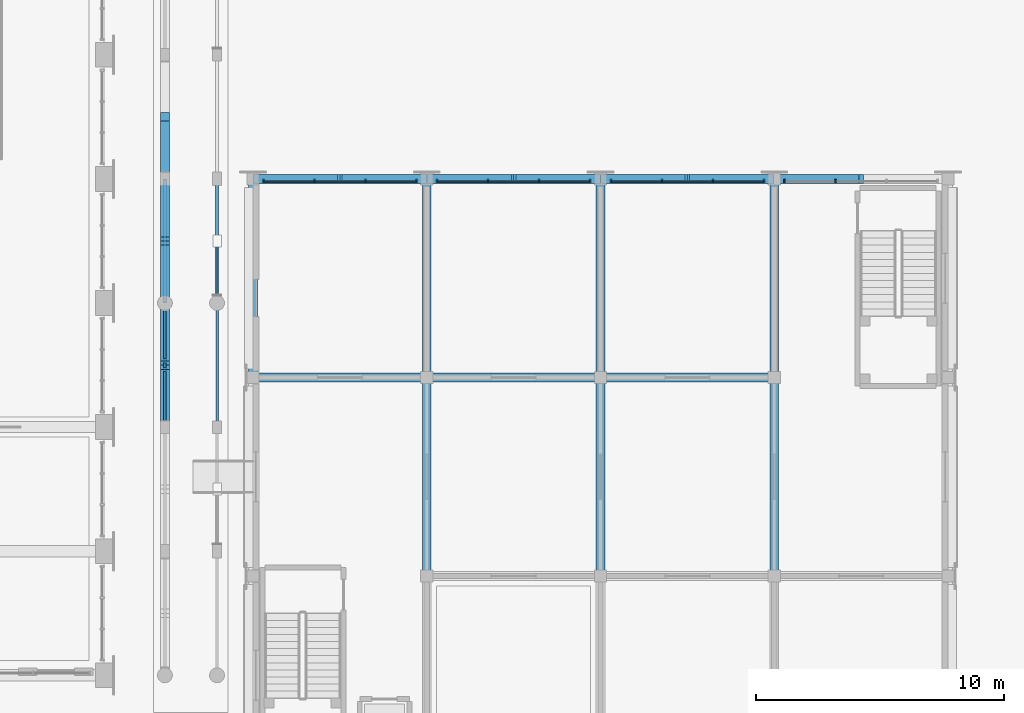
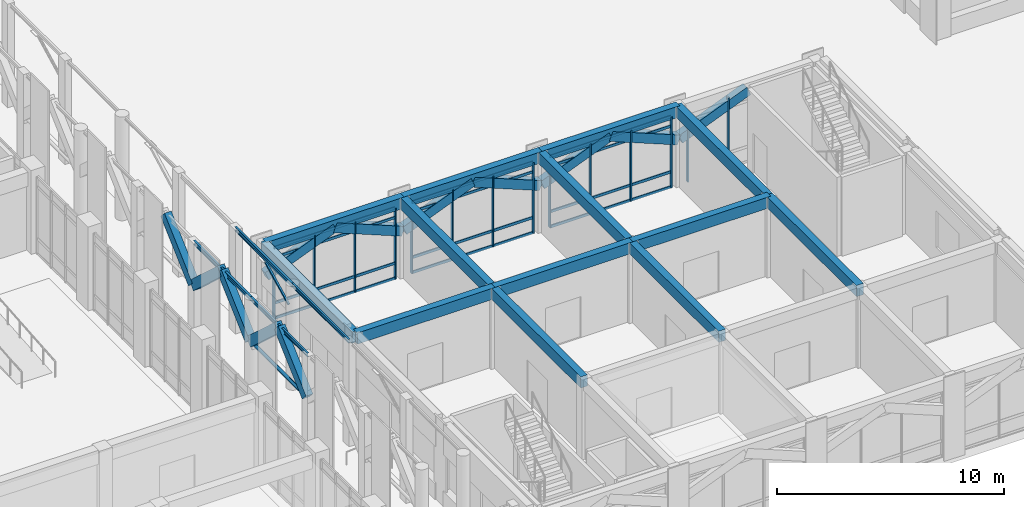
# One storey, part 31 of 135: 29 beams, 28 members, 4 elements without a shape of their own.
"""IFC4 building model written with IfcOpenShell, lengths in metres."""

from ifc_helpers import new_model, si_unit, direction, frame, origin, origin_2d, place, context, subcontext, project, spatial, rectangle, hollow_rectangle, hollow_circle, i_section, extrude, material, material_profile, profile_set, type_object, element, aggregate, save


model = new_model("IFC4")

# Units and contexts
model_context = context("Model", 3, precision=1e-05, world=origin(), true_north=direction((0.0, 1.0)))
body_context = subcontext(model_context, "Body", "Model", "MODEL_VIEW")
ifc_project = project(units=[si_unit("LENGTHUNIT", "METRE"), si_unit("AREAUNIT", "SQUARE_METRE"), si_unit("VOLUMEUNIT", "CUBIC_METRE"), si_unit("PLANEANGLEUNIT", "RADIAN"), si_unit("MASSUNIT", "GRAM", prefix="KILO")], contexts=[model_context])

# Site, building, storey
site_placement = place(None, origin())
site = spatial("IfcSite", under=ifc_project, at=site_placement, CompositionType="ELEMENT")
building_placement = place(site_placement, origin())
building = spatial("IfcBuilding", under=site, at=building_placement, Name="Kiranvali Square Residences", CompositionType="ELEMENT")
storey_placement = place(building_placement, origin())
storey = spatial("IfcBuildingStorey", under=building, at=storey_placement, Name="L00", CompositionType="ELEMENT", Elevation=0.0)

# Beams
ifc_material_1 = material(Name="Concrete M40 (40 MPa)", Category="concrete")
ifc_material_profile_1 = material_profile(ifc_material_1, rectangle(XDim=0.35009765625, YDim=0.5, at=origin_2d()), Name="RC 350x500")
ifc_profile_set_1 = profile_set([ifc_material_profile_1], Name="Concrete M40 (40 MPa)")
beam_type_1 = type_object("IfcBeamType", Name="AR-M40-350x500", PredefinedType="USERDEFINED", material=ifc_profile_set_1)
for number, where, z_axis, x_axis, name in (
    (1, (102.0400390625, 64.0, 2.449951171875), (0.926976058065, 0.0, 0.375120497672), (0.0, 1.0, 0.0), "Classical pointed Ottoman arch rib ARCH-RT-S3-0.1"),
    (2, (105.5, 64.0, 3.85009765625), (0.926976058065, 0.0, -0.375120497672), (0.0, 1.0, 0.0), "Classical pointed Ottoman arch rib ARCH-RT-S3-0.2"),
    (3, (109.0400390625, 64.0, 2.449951171875), (0.926976058065, 0.0, 0.375120497672), (0.0, 1.0, 0.0), "Classical pointed Ottoman arch rib ARCH-RT-S3-1.1"),
    (4, (112.5, 64.0, 3.85009765625), (0.926976058065, 0.0, -0.375120497672), (0.0, 1.0, 0.0), "Classical pointed Ottoman arch rib ARCH-RT-S3-1.2"),
    (5, (116.0400390625, 64.0, 2.449951171875), (0.926976058065, 0.0, 0.375120497672), (0.0, 1.0, 0.0), "Classical pointed Ottoman arch rib ARCH-RT-S3-2.1"),
    (6, (119.5, 64.0, 3.85009765625), (0.926976058065, 0.0, -0.375120497672), (0.0, 1.0, 0.0), "Classical pointed Ottoman arch rib ARCH-RT-S3-2.2"),
    (7, (123.0400390625, 64.0, 2.449951171875), (0.926976058065, 0.0, 0.375120497672), (0.0, 1.0, 0.0), "Classical pointed Ottoman arch rib ARCH-RT-S3-3.1"),
):
    element("IfcBeam", number, at=place(storey_placement, frame(where, z_axis=z_axis, x_axis=x_axis)), inside=storey, type_object=beam_type_1, Name=name, ObjectType="ARCH RIB", PredefinedType="USERDEFINED", context=body_context, shape_type="SweptSolid", body=[
        extrude(rectangle(XDim=0.35009765625, YDim=0.5, at=origin_2d()), origin(), (0.0, 0.0, 1.0), 3.732421875),
    ])
for number, where, z_axis, x_axis, name in (
    (8, (98.449951171875, 54.0400390625, 3.199951171875), (0.0, 0.736401324674, 0.676544964521), (-1.0, 0.0, 0.0), "Classical pointed Ottoman arch rib ARCH-ARC-GDN-E-03.1"),
    (9, (98.449951171875, 56.5, 5.4599609375), (0.0, 0.736401324674, -0.676544964521), (-1.0, 0.0, 0.0), "Classical pointed Ottoman arch rib ARCH-ARC-GDN-E-03.2"),
    (10, (98.449951171875, 59.0400390625, 3.199951171875), (0.0, 0.736401324674, 0.676544964521), (-1.0, 0.0, 0.0), "Classical pointed Ottoman arch rib ARCH-ARC-GDN-E-04.1"),
    (11, (98.449951171875, 61.5, 5.4599609375), (0.0, 0.736401324674, -0.676544964521), (-1.0, 0.0, 0.0), "Classical pointed Ottoman arch rib ARCH-ARC-GDN-E-04.2"),
    (12, (98.449951171875, 64.0400390625, 3.199951171875), (0.0, 0.736401324674, 0.676544964521), (-1.0, 0.0, 0.0), "Classical pointed Ottoman arch rib ARCH-ARC-GDN-E-05.1"),
):
    element("IfcBeam", number, at=place(storey_placement, frame(where, z_axis=z_axis, x_axis=x_axis)), inside=storey, type_object=beam_type_1, Name=name, ObjectType="ARCH RIB", PredefinedType="USERDEFINED", context=body_context, shape_type="SweptSolid", body=[
        extrude(rectangle(XDim=0.35009765625, YDim=0.5, at=origin_2d()), origin(), (0.0, 0.0, 1.0), 3.340576171875),
    ])
ifc_material_profile_2 = material_profile(ifc_material_1, rectangle(XDim=0.35009765625, YDim=0.60009765625, at=origin_2d()), Name="RC 350x600")
ifc_profile_set_2 = profile_set([ifc_material_profile_2], Name="Concrete M40 (40 MPa)")
beam_type_2 = type_object("IfcBeamType", Name="BM-M40-350x600", PredefinedType="BEAM", material=ifc_profile_set_2)
for number, where, z_axis, x_axis, name in (
    (13, (102.0, 56.0, 3.97998046875), (1.0, 0.0, 0.0), (0.0, 1.0, 0.0), "L00 beam BM-RT-L00-X0-2"),
    (14, (109.0, 56.0, 3.97998046875), (1.0, 0.0, 0.0), (0.0, 1.0, 0.0), "L00 beam BM-RT-L00-X1-2"),
    (15, (116.0, 56.0, 3.97998046875), (1.0, 0.0, 0.0), (0.0, 1.0, 0.0), "L00 beam BM-RT-L00-X2-2"),
    (16, (102.0, 64.0, 3.97998046875), (1.0, 0.0, 0.0), (0.0, 1.0, 0.0), "L00 beam BM-RT-L00-X0-3"),
    (17, (109.0, 64.0, 3.97998046875), (1.0, 0.0, 0.0), (0.0, 1.0, 0.0), "L00 beam BM-RT-L00-X1-3"),
    (18, (116.0, 64.0, 3.97998046875), (1.0, 0.0, 0.0), (0.0, 1.0, 0.0), "L00 beam BM-RT-L00-X2-3"),
):
    element("IfcBeam", number, at=place(storey_placement, frame(where, z_axis=z_axis, x_axis=x_axis)), inside=storey, type_object=beam_type_2, Name=name, PredefinedType="BEAM", context=body_context, shape_type="SweptSolid", body=[
        extrude(rectangle(XDim=0.35009765625, YDim=0.60009765625, at=origin_2d()), origin(), (0.0, 0.0, 1.0), 7.0),
    ])
for number, where, z_axis, x_axis, name in (
    (19, (102.0, 56.0, 3.97998046875), (0.0, 1.0, 0.0), (-1.0, 0.0, 0.0), "L00 beam BM-RT-L00-Y0-2"),
    (20, (109.0, 48.0, 3.97998046875), (0.0, 1.0, 0.0), (-1.0, 0.0, 0.0), "L00 beam BM-RT-L00-Y1-1"),
    (21, (109.0, 56.0, 3.97998046875), (0.0, 1.0, 0.0), (-1.0, 0.0, 0.0), "L00 beam BM-RT-L00-Y1-2"),
    (22, (116.0, 48.0, 3.97998046875), (0.0, 1.0, 0.0), (-1.0, 0.0, 0.0), "L00 beam BM-RT-L00-Y2-1"),
    (23, (116.0, 56.0, 3.97998046875), (0.0, 1.0, 0.0), (-1.0, 0.0, 0.0), "L00 beam BM-RT-L00-Y2-2"),
    (24, (123.0, 48.0, 3.97998046875), (0.0, 1.0, 0.0), (-1.0, 0.0, 0.0), "L00 beam BM-RT-L00-Y3-1"),
    (25, (123.0, 56.0, 3.97998046875), (0.0, 1.0, 0.0), (-1.0, 0.0, 0.0), "L00 beam BM-RT-L00-Y3-2"),
):
    element("IfcBeam", number, at=place(storey_placement, frame(where, z_axis=z_axis, x_axis=x_axis)), inside=storey, type_object=beam_type_2, Name=name, PredefinedType="BEAM", context=body_context, shape_type="SweptSolid", body=[
        extrude(rectangle(XDim=0.35009765625, YDim=0.60009765625, at=origin_2d()), origin(), (0.0, 0.0, 1.0), 8.0),
    ])

# Curtain wall, members
ifc_material_2 = material(Name="Anodised bronze aluminium framing", Category="aluminium")
curtain_wall_type = type_object("IfcCurtainWallType", Name="CW-PAV-GLZ", PredefinedType="USERDEFINED", material=ifc_material_2)
curtain_wall_1_placement = place(storey_placement, origin())
curtain_wall_1 = element("IfcCurtainWall", 26, at=curtain_wall_1_placement, inside=storey, type_object=curtain_wall_type, Name="Southeast Square Retail Pavilion north arcade curtain wall 1", ObjectType="CURTAIN WALL", PredefinedType="USERDEFINED")
ifc_material_profile_3 = material_profile(ifc_material_2, rectangle(XDim=0.06494140625, YDim=0.159912109375, at=origin_2d()), Name="ALU 65x160")
ifc_profile_set_3 = profile_set([ifc_material_profile_3], Name="Anodised bronze aluminium framing")
member_type_1 = type_object("IfcMemberType", Name="CW-MUL-160", PredefinedType="MULLION", material=ifc_profile_set_3)
member_1_placement = place(storey_placement, frame((102.419921875, 63.89990234375, 0.02001953125), z_axis=(0.0, 0.0, 1.0), x_axis=(1.0, 0.0, 0.0)))
member_1 = element("IfcMember", 27, at=member_1_placement, type_object=member_type_1, Name="CW-RT-N0-0 vertical mullion 1", PredefinedType="MULLION", context=body_context, shape_type="SweptSolid", body=[
    extrude(rectangle(XDim=0.06494140625, YDim=0.159912109375, at=origin_2d()), origin(), (0.0, 0.0, 1.0), 3.81005859375),
])
member_2_placement = place(storey_placement, frame((104.473388671875, 63.89990234375, 0.02001953125), z_axis=(0.0, 0.0, 1.0), x_axis=(1.0, 0.0, 0.0)))
member_2 = element("IfcMember", 28, at=member_2_placement, type_object=member_type_1, Name="CW-RT-N0-0 vertical mullion 2", PredefinedType="MULLION", context=body_context, shape_type="SweptSolid", body=[
    extrude(rectangle(XDim=0.06494140625, YDim=0.159912109375, at=origin_2d()), origin(), (0.0, 0.0, 1.0), 3.81005859375),
])
member_3_placement = place(storey_placement, frame((106.526611328125, 63.89990234375, 0.02001953125), z_axis=(0.0, 0.0, 1.0), x_axis=(1.0, 0.0, 0.0)))
member_3 = element("IfcMember", 29, at=member_3_placement, type_object=member_type_1, Name="CW-RT-N0-0 vertical mullion 3", PredefinedType="MULLION", context=body_context, shape_type="SweptSolid", body=[
    extrude(rectangle(XDim=0.06494140625, YDim=0.159912109375, at=origin_2d()), origin(), (0.0, 0.0, 1.0), 3.81005859375),
])
member_4_placement = place(storey_placement, frame((108.580078125, 63.89990234375, 0.02001953125), z_axis=(0.0, 0.0, 1.0), x_axis=(1.0, 0.0, 0.0)))
member_4 = element("IfcMember", 30, at=member_4_placement, type_object=member_type_1, Name="CW-RT-N0-0 vertical mullion 4", PredefinedType="MULLION", context=body_context, shape_type="SweptSolid", body=[
    extrude(rectangle(XDim=0.06494140625, YDim=0.159912109375, at=origin_2d()), origin(), (0.0, 0.0, 1.0), 3.81005859375),
])

curtain_wall_2_placement = place(storey_placement, origin())
curtain_wall_2 = element("IfcCurtainWall", 31, at=curtain_wall_2_placement, inside=storey, type_object=curtain_wall_type, Name="Southeast Square Retail Pavilion north arcade curtain wall 2", ObjectType="CURTAIN WALL", PredefinedType="USERDEFINED")
member_5_placement = place(storey_placement, frame((109.419921875, 63.89990234375, 0.02001953125), z_axis=(0.0, 0.0, 1.0), x_axis=(1.0, 0.0, 0.0)))
member_5 = element("IfcMember", 32, at=member_5_placement, type_object=member_type_1, Name="CW-RT-N0-1 vertical mullion 1", PredefinedType="MULLION", context=body_context, shape_type="SweptSolid", body=[
    extrude(rectangle(XDim=0.06494140625, YDim=0.159912109375, at=origin_2d()), origin(), (0.0, 0.0, 1.0), 3.81005859375),
])
member_6_placement = place(storey_placement, frame((111.473388671875, 63.89990234375, 0.02001953125), z_axis=(0.0, 0.0, 1.0), x_axis=(1.0, 0.0, 0.0)))
member_6 = element("IfcMember", 33, at=member_6_placement, type_object=member_type_1, Name="CW-RT-N0-1 vertical mullion 2", PredefinedType="MULLION", context=body_context, shape_type="SweptSolid", body=[
    extrude(rectangle(XDim=0.06494140625, YDim=0.159912109375, at=origin_2d()), origin(), (0.0, 0.0, 1.0), 3.81005859375),
])
member_7_placement = place(storey_placement, frame((113.526611328125, 63.89990234375, 0.02001953125), z_axis=(0.0, 0.0, 1.0), x_axis=(1.0, 0.0, 0.0)))
member_7 = element("IfcMember", 34, at=member_7_placement, type_object=member_type_1, Name="CW-RT-N0-1 vertical mullion 3", PredefinedType="MULLION", context=body_context, shape_type="SweptSolid", body=[
    extrude(rectangle(XDim=0.06494140625, YDim=0.159912109375, at=origin_2d()), origin(), (0.0, 0.0, 1.0), 3.81005859375),
])
member_8_placement = place(storey_placement, frame((115.580078125, 63.89990234375, 0.02001953125), z_axis=(0.0, 0.0, 1.0), x_axis=(1.0, 0.0, 0.0)))
member_8 = element("IfcMember", 35, at=member_8_placement, type_object=member_type_1, Name="CW-RT-N0-1 vertical mullion 4", PredefinedType="MULLION", context=body_context, shape_type="SweptSolid", body=[
    extrude(rectangle(XDim=0.06494140625, YDim=0.159912109375, at=origin_2d()), origin(), (0.0, 0.0, 1.0), 3.81005859375),
])

curtain_wall_3_placement = place(storey_placement, origin())
curtain_wall_3 = element("IfcCurtainWall", 36, at=curtain_wall_3_placement, inside=storey, type_object=curtain_wall_type, Name="Southeast Square Retail Pavilion north arcade curtain wall 3", ObjectType="CURTAIN WALL", PredefinedType="USERDEFINED")
member_9_placement = place(storey_placement, frame((116.419921875, 63.89990234375, 0.02001953125), z_axis=(0.0, 0.0, 1.0), x_axis=(1.0, 0.0, 0.0)))
member_9 = element("IfcMember", 37, at=member_9_placement, type_object=member_type_1, Name="CW-RT-N0-2 vertical mullion 1", PredefinedType="MULLION", context=body_context, shape_type="SweptSolid", body=[
    extrude(rectangle(XDim=0.06494140625, YDim=0.159912109375, at=origin_2d()), origin(), (0.0, 0.0, 1.0), 3.81005859375),
])
member_10_placement = place(storey_placement, frame((118.473388671875, 63.89990234375, 0.02001953125), z_axis=(0.0, 0.0, 1.0), x_axis=(1.0, 0.0, 0.0)))
member_10 = element("IfcMember", 38, at=member_10_placement, type_object=member_type_1, Name="CW-RT-N0-2 vertical mullion 2", PredefinedType="MULLION", context=body_context, shape_type="SweptSolid", body=[
    extrude(rectangle(XDim=0.06494140625, YDim=0.159912109375, at=origin_2d()), origin(), (0.0, 0.0, 1.0), 3.81005859375),
])
member_11_placement = place(storey_placement, frame((120.526611328125, 63.89990234375, 0.02001953125), z_axis=(0.0, 0.0, 1.0), x_axis=(1.0, 0.0, 0.0)))
member_11 = element("IfcMember", 39, at=member_11_placement, type_object=member_type_1, Name="CW-RT-N0-2 vertical mullion 3", PredefinedType="MULLION", context=body_context, shape_type="SweptSolid", body=[
    extrude(rectangle(XDim=0.06494140625, YDim=0.159912109375, at=origin_2d()), origin(), (0.0, 0.0, 1.0), 3.81005859375),
])
member_12_placement = place(storey_placement, frame((122.580078125, 63.89990234375, 0.02001953125), z_axis=(0.0, 0.0, 1.0), x_axis=(1.0, 0.0, 0.0)))
member_12 = element("IfcMember", 40, at=member_12_placement, type_object=member_type_1, Name="CW-RT-N0-2 vertical mullion 4", PredefinedType="MULLION", context=body_context, shape_type="SweptSolid", body=[
    extrude(rectangle(XDim=0.06494140625, YDim=0.159912109375, at=origin_2d()), origin(), (0.0, 0.0, 1.0), 3.81005859375),
])

curtain_wall_4_placement = place(storey_placement, origin())
curtain_wall_4 = element("IfcCurtainWall", 41, at=curtain_wall_4_placement, inside=storey, type_object=curtain_wall_type, Name="Southeast Square Retail Pavilion north arcade curtain wall 4", ObjectType="CURTAIN WALL", PredefinedType="USERDEFINED")
member_13_placement = place(storey_placement, frame((123.419921875, 63.89990234375, 0.02001953125), z_axis=(0.0, 0.0, 1.0), x_axis=(1.0, 0.0, 0.0)))
member_13 = element("IfcMember", 42, at=member_13_placement, type_object=member_type_1, Name="CW-RT-N0-3 vertical mullion 1", PredefinedType="MULLION", context=body_context, shape_type="SweptSolid", body=[
    extrude(rectangle(XDim=0.06494140625, YDim=0.159912109375, at=origin_2d()), origin(), (0.0, 0.0, 1.0), 3.81005859375),
])
member_14_placement = place(storey_placement, frame((125.473388671875, 63.89990234375, 0.02001953125), z_axis=(0.0, 0.0, 1.0), x_axis=(1.0, 0.0, 0.0)))
member_14 = element("IfcMember", 43, at=member_14_placement, type_object=member_type_1, Name="CW-RT-N0-3 vertical mullion 2", PredefinedType="MULLION", context=body_context, shape_type="SweptSolid", body=[
    extrude(rectangle(XDim=0.06494140625, YDim=0.159912109375, at=origin_2d()), origin(), (0.0, 0.0, 1.0), 3.81005859375),
])
aggregate(curtain_wall_4, [member_13, member_14])

# Member
ifc_material_profile_4 = material_profile(ifc_material_2, rectangle(XDim=0.06494140625, YDim=0.139892578125, at=origin_2d()), Name="ALU 65x140")
ifc_profile_set_4 = profile_set([ifc_material_profile_4], Name="Anodised bronze aluminium framing")
member_type_2 = type_object("IfcMemberType", Name="CW-TRN-140", PredefinedType="MULLION", material=ifc_profile_set_4)
member_15_placement = place(storey_placement, frame((102.429931640625, 63.89990234375, 0.0400390625), z_axis=(1.0, 0.0, 0.0), x_axis=(0.0, 1.0, 0.0)))
member_15 = element("IfcMember", 44, at=member_15_placement, type_object=member_type_2, Name="CW-RT-N0-0 horizontal transom 1", PredefinedType="MULLION", context=body_context, shape_type="SweptSolid", body=[
    extrude(rectangle(XDim=0.06494140625, YDim=0.139892578125, at=origin_2d()), origin(), (0.0, 0.0, 1.0), 6.14013671875),
])

member_16_placement = place(storey_placement, frame((102.429931640625, 63.89990234375, 0.85009765625), z_axis=(1.0, 0.0, 0.0), x_axis=(0.0, 1.0, 0.0)))
member_16 = element("IfcMember", 45, at=member_16_placement, type_object=member_type_2, Name="CW-RT-N0-0 horizontal transom 2", PredefinedType="MULLION", context=body_context, shape_type="SweptSolid", body=[
    extrude(rectangle(XDim=0.06494140625, YDim=0.139892578125, at=origin_2d()), origin(), (0.0, 0.0, 1.0), 6.14013671875),
])

member_17_placement = place(storey_placement, frame((102.429931640625, 63.89990234375, 3.300048828125), z_axis=(1.0, 0.0, 0.0), x_axis=(0.0, 1.0, 0.0)))
member_17 = element("IfcMember", 46, at=member_17_placement, type_object=member_type_2, Name="CW-RT-N0-0 horizontal transom 3", PredefinedType="MULLION", context=body_context, shape_type="SweptSolid", body=[
    extrude(rectangle(XDim=0.06494140625, YDim=0.139892578125, at=origin_2d()), origin(), (0.0, 0.0, 1.0), 6.14013671875),
])

member_18_placement = place(storey_placement, frame((102.429931640625, 63.89990234375, 3.81005859375), z_axis=(1.0, 0.0, 0.0), x_axis=(0.0, 1.0, 0.0)))
member_18 = element("IfcMember", 47, at=member_18_placement, type_object=member_type_2, Name="CW-RT-N0-0 horizontal transom 4", PredefinedType="MULLION", context=body_context, shape_type="SweptSolid", body=[
    extrude(rectangle(XDim=0.06494140625, YDim=0.139892578125, at=origin_2d()), origin(), (0.0, 0.0, 1.0), 6.14013671875),
])

aggregate(curtain_wall_1, [member_1, member_2, member_3, member_4, member_15, member_16, member_17, member_18])

member_19_placement = place(storey_placement, frame((109.429931640625, 63.89990234375, 0.0400390625), z_axis=(1.0, 0.0, 0.0), x_axis=(0.0, 1.0, 0.0)))
member_19 = element("IfcMember", 48, at=member_19_placement, type_object=member_type_2, Name="CW-RT-N0-1 horizontal transom 1", PredefinedType="MULLION", context=body_context, shape_type="SweptSolid", body=[
    extrude(rectangle(XDim=0.06494140625, YDim=0.139892578125, at=origin_2d()), origin(), (0.0, 0.0, 1.0), 6.14013671875),
])

member_20_placement = place(storey_placement, frame((109.429931640625, 63.89990234375, 0.85009765625), z_axis=(1.0, 0.0, 0.0), x_axis=(0.0, 1.0, 0.0)))
member_20 = element("IfcMember", 49, at=member_20_placement, type_object=member_type_2, Name="CW-RT-N0-1 horizontal transom 2", PredefinedType="MULLION", context=body_context, shape_type="SweptSolid", body=[
    extrude(rectangle(XDim=0.06494140625, YDim=0.139892578125, at=origin_2d()), origin(), (0.0, 0.0, 1.0), 6.14013671875),
])

member_21_placement = place(storey_placement, frame((109.429931640625, 63.89990234375, 3.300048828125), z_axis=(1.0, 0.0, 0.0), x_axis=(0.0, 1.0, 0.0)))
member_21 = element("IfcMember", 50, at=member_21_placement, type_object=member_type_2, Name="CW-RT-N0-1 horizontal transom 3", PredefinedType="MULLION", context=body_context, shape_type="SweptSolid", body=[
    extrude(rectangle(XDim=0.06494140625, YDim=0.139892578125, at=origin_2d()), origin(), (0.0, 0.0, 1.0), 6.14013671875),
])

member_22_placement = place(storey_placement, frame((109.429931640625, 63.89990234375, 3.81005859375), z_axis=(1.0, 0.0, 0.0), x_axis=(0.0, 1.0, 0.0)))
member_22 = element("IfcMember", 51, at=member_22_placement, type_object=member_type_2, Name="CW-RT-N0-1 horizontal transom 4", PredefinedType="MULLION", context=body_context, shape_type="SweptSolid", body=[
    extrude(rectangle(XDim=0.06494140625, YDim=0.139892578125, at=origin_2d()), origin(), (0.0, 0.0, 1.0), 6.14013671875),
])

aggregate(curtain_wall_2, [member_5, member_6, member_7, member_8, member_19, member_20, member_21, member_22])

member_23_placement = place(storey_placement, frame((116.429931640625, 63.89990234375, 0.0400390625), z_axis=(1.0, 0.0, 0.0), x_axis=(0.0, 1.0, 0.0)))
member_23 = element("IfcMember", 52, at=member_23_placement, type_object=member_type_2, Name="CW-RT-N0-2 horizontal transom 1", PredefinedType="MULLION", context=body_context, shape_type="SweptSolid", body=[
    extrude(rectangle(XDim=0.06494140625, YDim=0.139892578125, at=origin_2d()), origin(), (0.0, 0.0, 1.0), 6.14013671875),
])

member_24_placement = place(storey_placement, frame((116.429931640625, 63.89990234375, 0.85009765625), z_axis=(1.0, 0.0, 0.0), x_axis=(0.0, 1.0, 0.0)))
member_24 = element("IfcMember", 53, at=member_24_placement, type_object=member_type_2, Name="CW-RT-N0-2 horizontal transom 2", PredefinedType="MULLION", context=body_context, shape_type="SweptSolid", body=[
    extrude(rectangle(XDim=0.06494140625, YDim=0.139892578125, at=origin_2d()), origin(), (0.0, 0.0, 1.0), 6.14013671875),
])

member_25_placement = place(storey_placement, frame((116.429931640625, 63.89990234375, 3.300048828125), z_axis=(1.0, 0.0, 0.0), x_axis=(0.0, 1.0, 0.0)))
member_25 = element("IfcMember", 54, at=member_25_placement, type_object=member_type_2, Name="CW-RT-N0-2 horizontal transom 3", PredefinedType="MULLION", context=body_context, shape_type="SweptSolid", body=[
    extrude(rectangle(XDim=0.06494140625, YDim=0.139892578125, at=origin_2d()), origin(), (0.0, 0.0, 1.0), 6.14013671875),
])

member_26_placement = place(storey_placement, frame((116.429931640625, 63.89990234375, 3.81005859375), z_axis=(1.0, 0.0, 0.0), x_axis=(0.0, 1.0, 0.0)))
member_26 = element("IfcMember", 55, at=member_26_placement, type_object=member_type_2, Name="CW-RT-N0-2 horizontal transom 4", PredefinedType="MULLION", context=body_context, shape_type="SweptSolid", body=[
    extrude(rectangle(XDim=0.06494140625, YDim=0.139892578125, at=origin_2d()), origin(), (0.0, 0.0, 1.0), 6.14013671875),
])

aggregate(curtain_wall_3, [member_9, member_10, member_11, member_12, member_23, member_24, member_25, member_26])

# Members
ifc_material_3 = material(Name="Structural steel E350", Category="steel")
ifc_material_profile_5 = material_profile(ifc_material_3, hollow_circle(Radius=0.08251953125, WallThickness=0.00537109375, at=origin_2d()), Name="CHS 165.1x5.4")
ifc_profile_set_5 = profile_set([ifc_material_profile_5], Name="Structural steel E350")
member_type_3 = type_object("IfcMemberType", Name="MEM-CHS165", PredefinedType="USERDEFINED", material=ifc_profile_set_5)
member_27_placement = place(storey_placement, frame((98.449951171875, 54.27392578125, 3.14990234375), z_axis=(0.0, 1.0, 0.0), x_axis=(-1.0, 0.0, 0.0)))
element("IfcMember", 56, at=member_27_placement, inside=storey, type_object=member_type_3, Name="Ottoman arch springing tie rod ARC-GDN-E-3", ObjectType="TIE ROD", PredefinedType="USERDEFINED", context=body_context, shape_type="SweptSolid", body=[
    extrude(hollow_circle(Radius=0.08251953125, WallThickness=0.00537109375, at=origin_2d()), origin(), (0.0, 0.0, 1.0), 4.402099609375),
])
ifc_material_profile_6 = material_profile(ifc_material_3, hollow_rectangle(XDim=0.091552734375, YDim=0.091552734375, WallThickness=0.00439453125, at=origin_2d()), Name="SHS 91.5x91.5x4.5")
ifc_profile_set_6 = profile_set([ifc_material_profile_6], Name="Structural steel E350")
member_type_4 = type_object("IfcMemberType", Name="MEM-SHS91", PredefinedType="BRACE", material=ifc_profile_set_6)
member_28_placement = place(storey_placement, frame((100.550048828125, 59.3359375, 4.199951171875), z_axis=(0.0, 0.89159305, 0.452837535097), x_axis=(-1.0, 0.0, 0.0)))
element("IfcMember", 57, at=member_28_placement, inside=storey, type_object=member_type_4, Name="Colonnade steel knee brace ARC-GDN-E-4", PredefinedType="BRACE", context=body_context, shape_type="SweptSolid", body=[
    extrude(hollow_rectangle(XDim=0.091552734375, YDim=0.091552734375, WallThickness=0.00439453125, at=origin_2d()), origin(), (0.0, 0.0, 1.0), 2.42724609375),
])

# Beams
ifc_material_profile_7 = material_profile(ifc_material_3, i_section(OverallWidth=0.10009765625, OverallDepth=0.199951171875, WebThickness=0.005615234375, FlangeThickness=0.0107421875, at=origin_2d()), Name="ISMB 200")
ifc_profile_set_7 = profile_set([ifc_material_profile_7], Name="Structural steel E350")
beam_type_3 = type_object("IfcBeamType", Name="SBM-ISMB200", PredefinedType="JOIST", material=ifc_profile_set_7)
for number, where, z_axis, x_axis, name in (
    (58, (98.449951171875, 54.0, 5.4599609375), (0.0, 1.0, 0.0), (-1.0, 0.0, 0.0), "Colonnade entablature steel beam ARC-GDN-E-3"),
    (59, (100.550048828125, 54.0, 5.4599609375), (0.0, 1.0, 0.0), (-1.0, 0.0, 0.0), "Colonnade inner entablature steel beam ARC-GDN-E-3B"),
):
    element("IfcBeam", number, at=place(storey_placement, frame(where, z_axis=z_axis, x_axis=x_axis)), inside=storey, type_object=beam_type_3, Name=name, PredefinedType="JOIST", context=body_context, shape_type="SweptSolid", body=[
        extrude(i_section(OverallWidth=0.10009765625, OverallDepth=0.199951171875, WebThickness=0.005615234375, FlangeThickness=0.0107421875, at=origin_2d()), origin(), (0.0, 0.0, 1.0), 5.0),
    ])
ifc_material_profile_8 = material_profile(ifc_material_3, i_section(OverallWidth=0.110107421875, OverallDepth=0.22509765625, WebThickness=0.006591796875, FlangeThickness=0.01171875, at=origin_2d()), Name="ISMB 225")
ifc_profile_set_8 = profile_set([ifc_material_profile_8], Name="Structural steel E350")
beam_type_4 = type_object("IfcBeamType", Name="SBM-ISMB225", PredefinedType="JOIST", material=ifc_profile_set_8)
for number, where, z_axis, x_axis, name in (
    (60, (98.449951171875, 59.0, 5.447509765625), (0.0, 1.0, 0.0), (-1.0, 0.0, 0.0), "Colonnade entablature steel beam ARC-GDN-E-4"),
    (61, (100.550048828125, 59.0, 5.447509765625), (0.0, 1.0, 0.0), (-1.0, 0.0, 0.0), "Colonnade inner entablature steel beam ARC-GDN-E-4B"),
):
    element("IfcBeam", number, at=place(storey_placement, frame(where, z_axis=z_axis, x_axis=x_axis)), inside=storey, type_object=beam_type_4, Name=name, PredefinedType="JOIST", context=body_context, shape_type="SweptSolid", body=[
        extrude(i_section(OverallWidth=0.110107421875, OverallDepth=0.22509765625, WebThickness=0.006591796875, FlangeThickness=0.01171875, at=origin_2d()), origin(), (0.0, 0.0, 1.0), 5.0),
    ])

save(model, "model.ifc")
